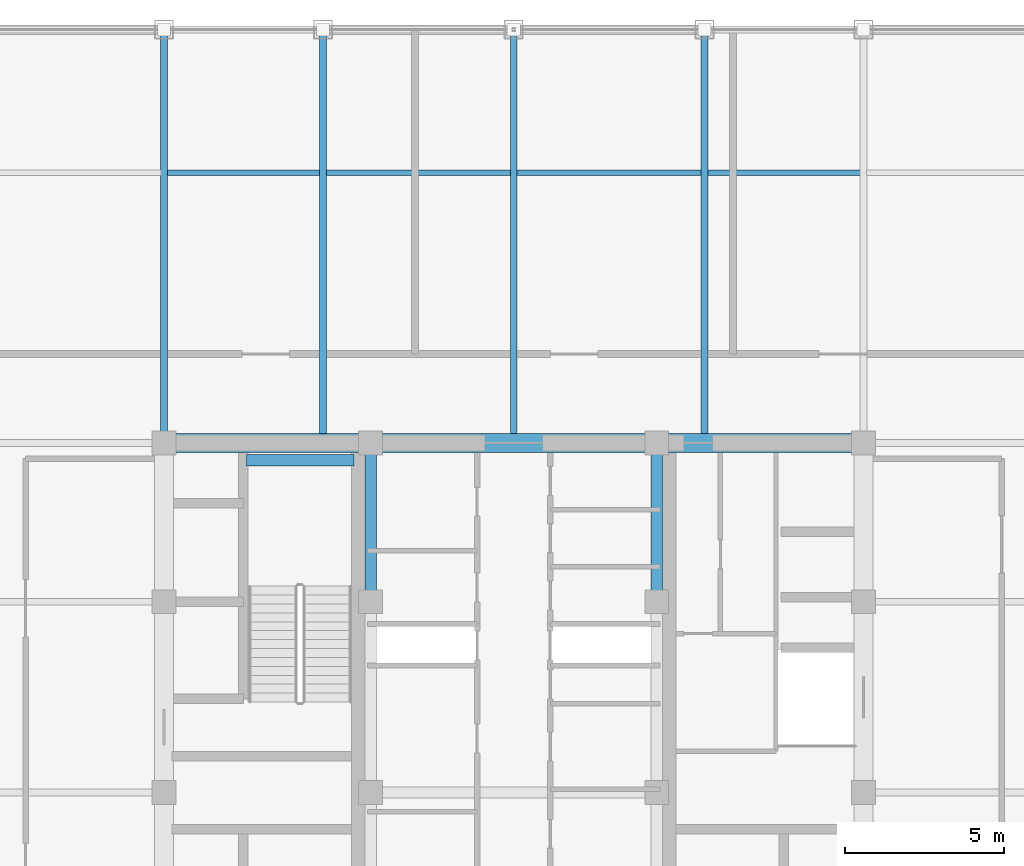
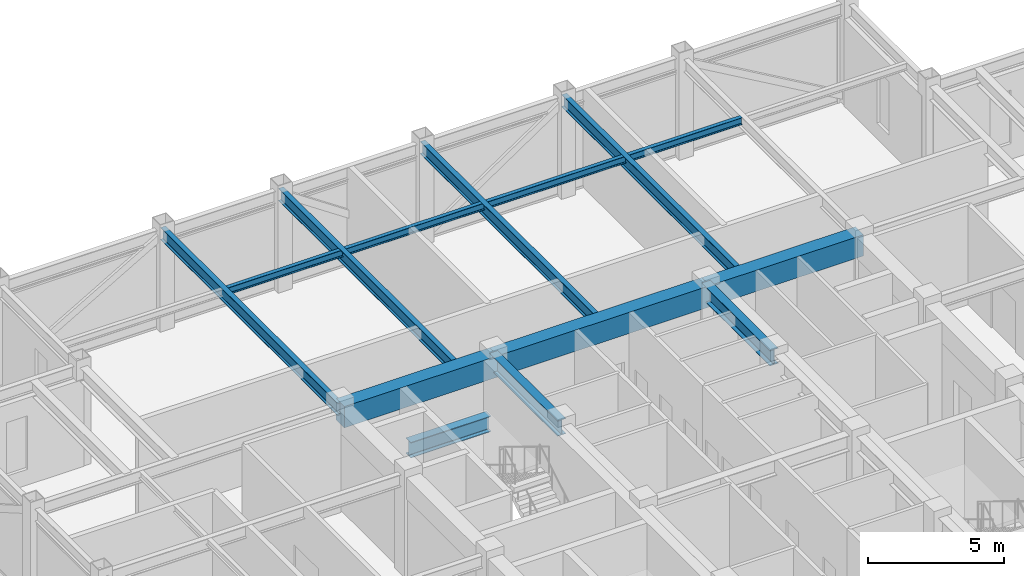
# One storey, part 15 of 27: 11 beams.
"""IFC4 building model written with IfcOpenShell, lengths in metres."""

from ifc_helpers import new_model, si_unit, direction, frame, origin, origin_2d, place, context, subcontext, project, spatial, rectangle, i_section, extrude, source, transform, mapped, material, material_profile, profile_set, type_object, element, save


model = new_model("IFC4")

# Units and contexts
model_context = context("Model", 3, precision=1e-05, world=origin(), true_north=direction((0.0, 1.0)))
body_context = subcontext(model_context, "Body", "Model", "MODEL_VIEW")
ifc_project = project(units=[si_unit("LENGTHUNIT", "METRE"), si_unit("AREAUNIT", "SQUARE_METRE"), si_unit("VOLUMEUNIT", "CUBIC_METRE"), si_unit("PLANEANGLEUNIT", "RADIAN"), si_unit("MASSUNIT", "GRAM", prefix="KILO")], contexts=[model_context])

# Site, building, storey
site_placement = place(None, origin())
site = spatial("IfcSite", under=ifc_project, at=site_placement, CompositionType="ELEMENT")
building_placement = place(site_placement, origin())
building = spatial("IfcBuilding", under=site, at=building_placement, Name="Khorayat Bourse Tower", CompositionType="ELEMENT")
storey_placement = place(building_placement, frame((0.0, 0.0, 394.699951171875)))
storey = spatial("IfcBuildingStorey", under=building, at=storey_placement, Name="L93", CompositionType="ELEMENT", Elevation=394.699951171875)

# Beams
ifc_material_1 = material(Name="Steel ASTM A992 Grade 50", Category="steel")
ifc_material_profile_1 = material_profile(ifc_material_1, i_section(OverallWidth=0.35498046875, OverallDepth=0.695068359375, WebThickness=0.015380859375, FlangeThickness=0.02490234375, FilletRadius=0.01806640625, at=origin_2d()), Name="W690X217")
ifc_profile_set_1 = profile_set([ifc_material_profile_1], Name="Steel ASTM A992 Grade 50")
beam_type_1 = type_object("IfcBeamType", Name="BM-GIRD-690", PredefinedType="BEAM", material=ifc_profile_set_1)
shared_shape_1 = source(origin(), body_context, "Body", "SweptSolid", [
    extrude(i_section(OverallWidth=0.35498046875, OverallDepth=0.695068359375, WebThickness=0.015380859375, FlangeThickness=0.02490234375, FilletRadius=0.01806640625, at=origin_2d()), origin(), (0.0, 0.0, 1.0), 5.0),
])
for number, where, z_axis, x_axis, name in (
    (1, (-4.5, 6.0, 4.1025390625), (0.0, 1.0, 0.0), (-1.0, 0.0, 0.0), "L93 BM-GIRD-690 BM-L93-CRX-08"),
    (2, (4.5, 6.0, 4.1025390625), (0.0, 1.0, 0.0), (-1.0, 0.0, 0.0), "L93 BM-GIRD-690 BM-L93-CRX-12"),
):
    element("IfcBeam", number, at=place(storey_placement, frame(where, z_axis=z_axis, x_axis=x_axis)), inside=storey, type_object=beam_type_1, Name=name, PredefinedType="BEAM", context=body_context, shape_type="MappedRepresentation", body=[
        mapped(shared_shape_1, transform((0.0, 0.0, 0.0), scale=1.0)),
    ])
shared_shape_2 = source(origin(), body_context, "Body", "SweptSolid", [
    extrude(i_section(OverallWidth=0.35498046875, OverallDepth=0.695068359375, WebThickness=0.015380859375, FlangeThickness=0.02490234375, FilletRadius=0.01806640625, at=origin_2d()), origin(), (0.0, 0.0, 1.0), 3.39990234375),
])
beam_1_placement = place(storey_placement, frame((-8.419921875, 10.449951171875, 1.8525390625), z_axis=(1.0, 0.0, 0.0), x_axis=(0.0, 1.0, 0.0)))
element("IfcBeam", 3, at=beam_1_placement, inside=storey, type_object=beam_type_1, Name="L93 BM-GIRD-690 BM-L93-ST2L", PredefinedType="BEAM", context=body_context, shape_type="MappedRepresentation", body=[
    mapped(shared_shape_2, transform((0.0, 0.0, 0.0), scale=1.0)),
])
ifc_material_2 = material(Name="Concrete C60/75", Category="concrete")
ifc_material_profile_2 = material_profile(ifc_material_2, rectangle(XDim=0.60009765625, YDim=0.949951171875, at=origin_2d()), Name="RC 600x950")
ifc_profile_set_2 = profile_set([ifc_material_profile_2], Name="Concrete C60/75")
beam_type_2 = type_object("IfcBeamType", Name="BM-COUP-950", PredefinedType="BEAM", material=ifc_profile_set_2)
shared_shape_3 = source(origin(), body_context, "Body", "SweptSolid", [
    extrude(rectangle(XDim=0.60009765625, YDim=0.949951171875, at=origin_2d()), origin(), (0.0, 0.0, 1.0), 6.5),
])
for number, where, z_axis, x_axis, name in (
    (4, (-11.0, 11.0, 3.97509765625), (1.0, 0.0, 0.0), (0.0, 1.0, 0.0), "L93 BM-COUP-950 BM-L93-CRY-20"),
    (5, (4.5, 11.0, 3.97509765625), (1.0, 0.0, 0.0), (0.0, 1.0, 0.0), "L93 BM-COUP-950 BM-L93-CRY-22"),
):
    element("IfcBeam", number, at=place(storey_placement, frame(where, z_axis=z_axis, x_axis=x_axis)), inside=storey, type_object=beam_type_2, Name=name, PredefinedType="BEAM", context=body_context, shape_type="MappedRepresentation", body=[
        mapped(shared_shape_3, transform((0.0, 0.0, 0.0), scale=1.0)),
    ])
shared_shape_4 = source(origin(), body_context, "Body", "SweptSolid", [
    extrude(rectangle(XDim=0.60009765625, YDim=0.949951171875, at=origin_2d()), origin(), (0.0, 0.0, 1.0), 9.0),
])
beam_2_placement = place(storey_placement, frame((-4.5, 11.0, 3.97509765625), z_axis=(1.0, 0.0, 0.0), x_axis=(0.0, 1.0, 0.0)))
element("IfcBeam", 6, at=beam_2_placement, inside=storey, type_object=beam_type_2, Name="L93 BM-COUP-950 BM-L93-CRY-21", PredefinedType="BEAM", context=body_context, shape_type="MappedRepresentation", body=[
    mapped(shared_shape_4, transform((0.0, 0.0, 0.0), scale=1.0)),
])
ifc_material_profile_3 = material_profile(ifc_material_1, i_section(OverallWidth=0.214111328125, OverallDepth=0.549072265625, WebThickness=0.0146484375, FlangeThickness=0.023681640625, FilletRadius=0.013916015625, at=origin_2d()), Name="W530X138")
ifc_profile_set_3 = profile_set([ifc_material_profile_3], Name="Steel ASTM A992 Grade 50")
beam_type_3 = type_object("IfcBeamType", Name="BM-GIRD-530", PredefinedType="BEAM", material=ifc_profile_set_3)
shared_shape_5 = source(origin(), body_context, "Body", "SweptSolid", [
    extrude(i_section(OverallWidth=0.214111328125, OverallDepth=0.549072265625, WebThickness=0.0146484375, FlangeThickness=0.023681640625, FilletRadius=0.013916015625, at=origin_2d()), origin(), (0.0, 0.0, 1.0), 13.0),
])
for number, where, z_axis, x_axis, name in (
    (7, (-11.0, 11.0, 4.175537109375), (0.0, 1.0, 0.0), (-1.0, 0.0, 0.0), "L93 BM-GIRD-530 BM-L93-RADY-056"),
    (8, (-6.0, 11.0, 4.175537109375), (0.0, 1.0, 0.0), (-1.0, 0.0, 0.0), "L93 BM-GIRD-530 BM-L93-RADY-058"),
    (9, (0.0, 11.0, 4.175537109375), (0.0, 1.0, 0.0), (-1.0, 0.0, 0.0), "L93 BM-GIRD-530 BM-L93-RADY-060"),
    (10, (6.0, 11.0, 4.175537109375), (0.0, 1.0, 0.0), (-1.0, 0.0, 0.0), "L93 BM-GIRD-530 BM-L93-RADY-062"),
):
    element("IfcBeam", number, at=place(storey_placement, frame(where, z_axis=z_axis, x_axis=x_axis)), inside=storey, type_object=beam_type_3, Name=name, PredefinedType="BEAM", context=body_context, shape_type="MappedRepresentation", body=[
        mapped(shared_shape_5, transform((0.0, 0.0, 0.0), scale=1.0)),
    ])
ifc_material_profile_4 = material_profile(ifc_material_1, i_section(OverallWidth=0.1669921875, OverallDepth=0.31689453125, WebThickness=0.007568359375, FlangeThickness=0.01318359375, FilletRadius=0.010009765625, at=origin_2d()), Name="W310X52")
ifc_profile_set_4 = profile_set([ifc_material_profile_4], Name="Steel ASTM A992 Grade 50")
beam_type_4 = type_object("IfcBeamType", Name="BM-JOIST-310", PredefinedType="JOIST", material=ifc_profile_set_4)
shared_shape_6 = source(origin(), body_context, "Body", "SweptSolid", [
    extrude(i_section(OverallWidth=0.1669921875, OverallDepth=0.31689453125, WebThickness=0.007568359375, FlangeThickness=0.01318359375, FilletRadius=0.010009765625, at=origin_2d()), origin(), (0.0, 0.0, 1.0), 21.81005859375),
])
beam_3_placement = place(storey_placement, frame((-10.905029296875, 19.5, 4.29150390625), z_axis=(1.0, 0.0, 0.0), x_axis=(0.0, 1.0, 0.0)))
element("IfcBeam", 11, at=beam_3_placement, inside=storey, type_object=beam_type_4, Name="L93 BM-JOIST-310 BM-L93-JSTX-088", PredefinedType="JOIST", context=body_context, shape_type="MappedRepresentation", body=[
    mapped(shared_shape_6, transform((0.0, 0.0, 0.0), scale=1.0)),
])

save(model, "model.ifc")
